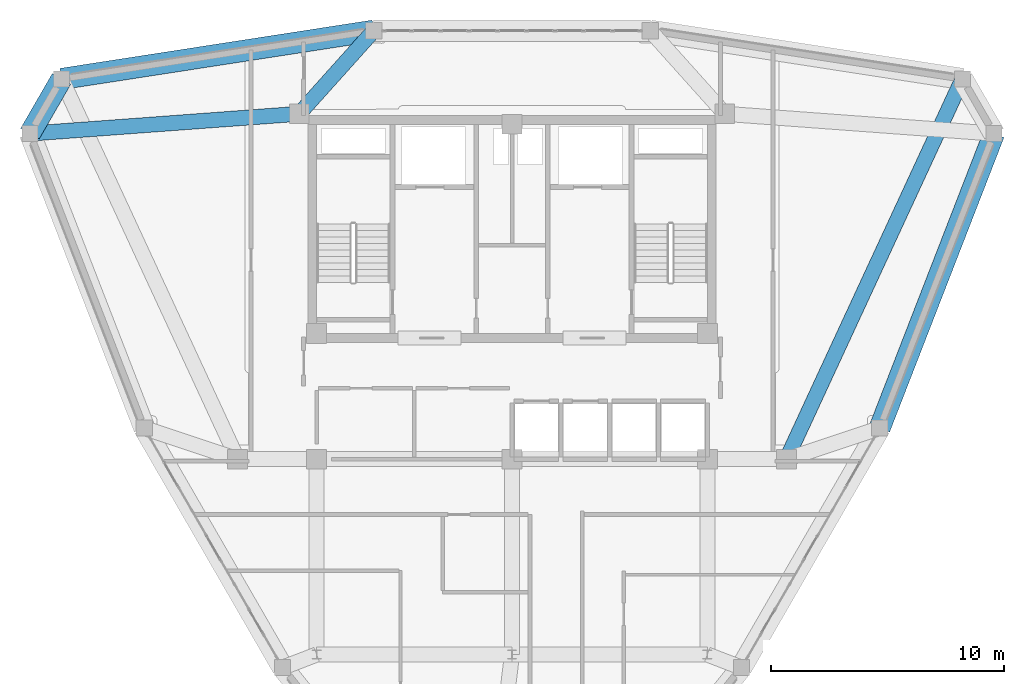
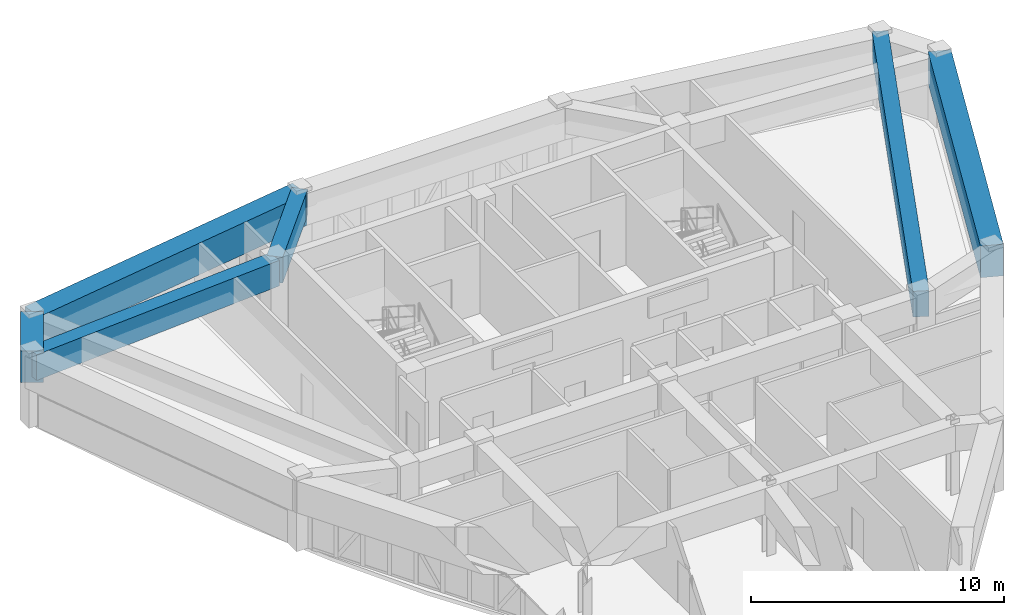
# One storey, part 8 of 14: 6 beams.
"""IFC4 building model written with IfcOpenShell, lengths in metres."""

from ifc_helpers import new_model, si_unit, derived_unit, direction, frame, origin, origin_2d, place, context, subcontext, project, spatial, rectangle, extrude, source, transform, mapped, material, material_profile, profile_set, type_object, element, save


model = new_model("IFC4")

# Units and contexts
model_context = context("Model", 3, precision=1e-05, world=origin(), true_north=direction((0.0, 1.0)))
body_context = subcontext(model_context, "Body", "Model", "MODEL_VIEW")
ifc_project = project(units=[si_unit("LENGTHUNIT", "METRE"), si_unit("AREAUNIT", "SQUARE_METRE"), si_unit("VOLUMEUNIT", "CUBIC_METRE"), si_unit("PLANEANGLEUNIT", "RADIAN"), si_unit("MASSUNIT", "GRAM", prefix="KILO"), derived_unit("THERMALTRANSMITTANCEUNIT", [(si_unit("POWERUNIT", "WATT"), 1), (si_unit("LENGTHUNIT", "METRE"), -2), (si_unit("THERMODYNAMICTEMPERATUREUNIT", "KELVIN"), -1)])], contexts=[model_context])

# Site, building, storey
site_placement = place(None, origin())
site = spatial("IfcSite", under=ifc_project, at=site_placement, CompositionType="ELEMENT")
building_placement = place(site_placement, origin())
building = spatial("IfcBuilding", under=site, at=building_placement, Name="Korsvarv Bourse and Concert Hall", CompositionType="ELEMENT")
storey_placement = place(building_placement, frame((0.0, 0.0, 253.800048828125)))
storey = spatial("IfcBuildingStorey", under=building, at=storey_placement, Name="L66", CompositionType="ELEMENT", Elevation=253.800048828125)

# Beams
ifc_material = material(Name="Concrete C50/60", Category="concrete")
ifc_material_profile_1 = material_profile(ifc_material, rectangle(XDim=0.919921875, YDim=1.530029296875, at=origin_2d()), Name="RC-BM 920x1530")
ifc_profile_set_1 = profile_set([ifc_material_profile_1], Name="Concrete C50/60")
beam_type_1 = type_object("IfcBeamType", Name="BM-TR-154", PredefinedType="BEAM", material=ifc_profile_set_1)
shared_shape_1 = source(origin(), body_context, "Body", "SweptSolid", [
    extrude(rectangle(XDim=0.919921875, YDim=1.530029296875, at=origin_2d()), origin(), (0.0, 0.0, 1.0), 2.71337890625),
])
beam_1_placement = place(storey_placement, frame((16.631591796875, 48.7490234375, 2.64501953125), z_axis=(-0.500000246922, -0.866025261224, 0.0), x_axis=(0.866025261224, -0.500000246922, 0.0)))
element("IfcBeam", 1, at=beam_1_placement, inside=storey, type_object=beam_type_1, Name="L66 beam B-TR6", PredefinedType="BEAM", context=body_context, shape_type="MappedRepresentation", body=[
    mapped(shared_shape_1, transform((0.0, 0.0, 0.0), scale=1.0)),
])
shared_shape_2 = source(origin(), body_context, "Body", "SweptSolid", [
    extrude(rectangle(XDim=0.919921875, YDim=1.530029296875, at=origin_2d()), origin(), (0.0, 0.0, 1.0), 13.581787109375),
])
beam_2_placement = place(storey_placement, frame((30.05419921875, 50.82275390625, 2.64501953125), z_axis=(-0.988275075433, -0.152683906414, 0.0), x_axis=(0.152683906414, -0.988275075433, 0.0)))
element("IfcBeam", 2, at=beam_2_placement, inside=storey, type_object=beam_type_1, Name="L66 beam B-TR6", PredefinedType="BEAM", context=body_context, shape_type="MappedRepresentation", body=[
    mapped(shared_shape_2, transform((0.0, 0.0, 0.0), scale=1.0)),
])
shared_shape_3 = source(origin(), body_context, "Body", "SweptSolid", [
    extrude(rectangle(XDim=0.919921875, YDim=1.530029296875, at=origin_2d()), origin(), (0.0, 0.0, 1.0), 13.58203125),
])
beam_3_placement = place(storey_placement, frame((51.809814453125, 33.73779296875, 2.64501953125), z_axis=(0.361897107662, 0.932218045023, 0.0), x_axis=(-0.932218045023, 0.361897107662, 0.0)))
element("IfcBeam", 3, at=beam_3_placement, inside=storey, type_object=beam_type_1, Name="L66 beam B-TR6", PredefinedType="BEAM", context=body_context, shape_type="MappedRepresentation", body=[
    mapped(shared_shape_3, transform((0.0, 0.0, 0.0), scale=1.0)),
])
ifc_material_profile_2 = material_profile(ifc_material, rectangle(XDim=0.64990234375, YDim=1.239990234375, at=origin_2d()), Name="RC-BM 650x1240")
ifc_profile_set_2 = profile_set([ifc_material_profile_2], Name="Concrete C50/60")
beam_type_2 = type_object("IfcBeamType", Name="BM-TR-SPN", PredefinedType="BEAM", material=ifc_profile_set_2)
shared_shape_4 = source(origin(), body_context, "Body", "SweptSolid", [
    extrude(rectangle(XDim=0.64990234375, YDim=1.239990234375, at=origin_2d()), origin(), (0.0, 0.0, 1.0), 11.6064453125),
])
beam_4_placement = place(storey_placement, frame((15.27490234375, 46.399169921875, 2.7900390625), z_axis=(0.997309434835, 0.073306829081, 0.0), x_axis=(-0.073306829081, 0.997309434835, 0.0)))
element("IfcBeam", 4, at=beam_4_placement, inside=storey, type_object=beam_type_2, Name="L66 beam B-TRS", PredefinedType="BEAM", context=body_context, shape_type="MappedRepresentation", body=[
    mapped(shared_shape_4, transform((0.0, 0.0, 0.0), scale=1.0)),
])
shared_shape_5 = source(origin(), body_context, "Body", "SweptSolid", [
    extrude(rectangle(XDim=0.64990234375, YDim=1.239990234375, at=origin_2d()), origin(), (0.0, 0.0, 1.0), 18.015869140625),
])
beam_5_placement = place(storey_placement, frame((55.368408203125, 48.7490234375, 2.7900390625), z_axis=(-0.420092569243, -0.907481257805, 0.0), x_axis=(0.907481257805, -0.420092569243, 0.0)))
element("IfcBeam", 5, at=beam_5_placement, inside=storey, type_object=beam_type_2, Name="L66 beam B-TRS", PredefinedType="BEAM", context=body_context, shape_type="MappedRepresentation", body=[
    mapped(shared_shape_5, transform((0.0, 0.0, 0.0), scale=1.0)),
])
shared_shape_6 = source(origin(), body_context, "Body", "SweptSolid", [
    extrude(rectangle(XDim=0.64990234375, YDim=1.239990234375, at=origin_2d()), origin(), (0.0, 0.0, 1.0), 4.799072265625),
])
beam_6_placement = place(storey_placement, frame((30.05419921875, 50.82275390625, 2.7900390625), z_axis=(-0.667653930614, -0.744471778468, 0.0), x_axis=(0.744471778468, -0.667653930614, 0.0)))
element("IfcBeam", 6, at=beam_6_placement, inside=storey, type_object=beam_type_2, Name="L66 beam B-TRS", PredefinedType="BEAM", context=body_context, shape_type="MappedRepresentation", body=[
    mapped(shared_shape_6, transform((0.0, 0.0, 0.0), scale=1.0)),
])

save(model, "model.ifc")
